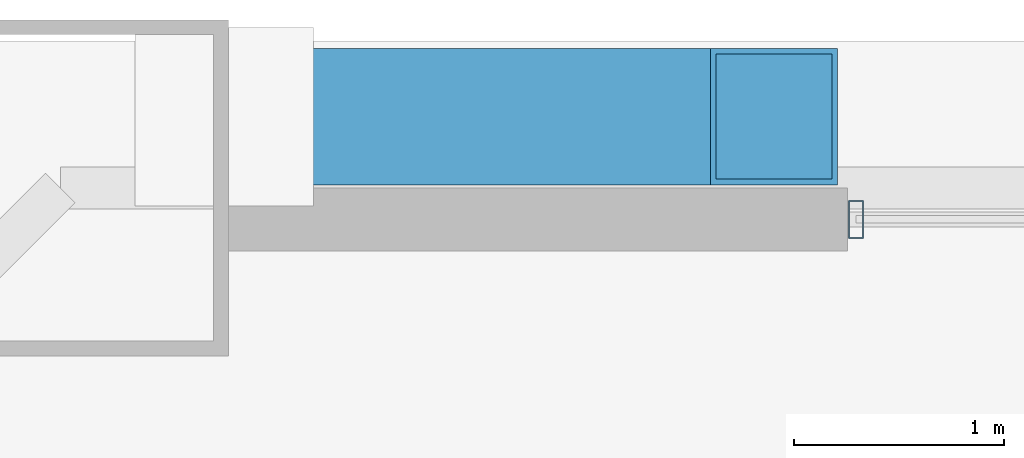
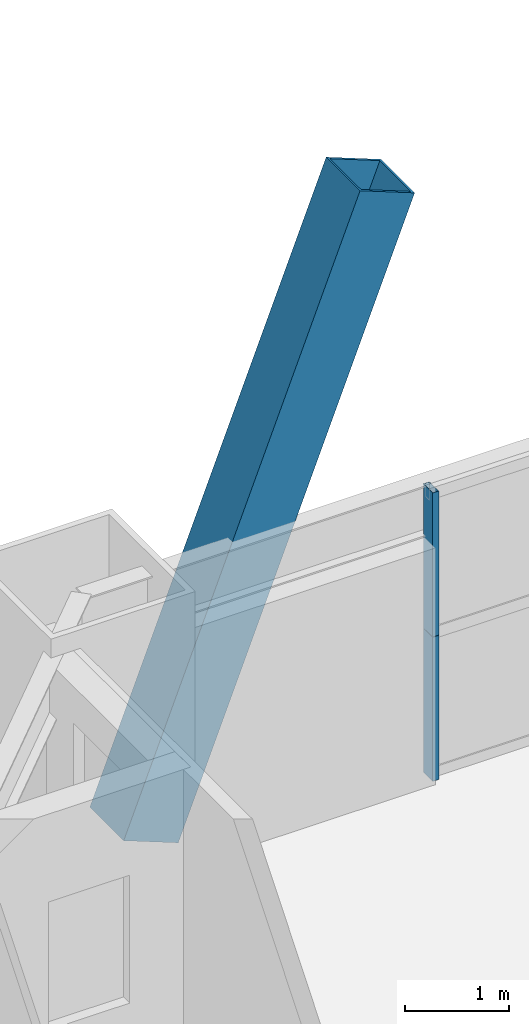
# One storey, part 28 of 43: 3 members, 1 element without a shape of its own.
"""IFC4 building model written with IfcOpenShell, lengths in metres."""

import ifcopenshell
import ifcopenshell.guid

model = None  # the IFC model being written
_history = None  # IfcOwnerHistory: only IFC2X3 demands one
_inside = {}  # id of a spatial element -> (the spatial element, [elements in it])
_under = {}  # id of a project, library or spatial element -> (it, [spatial elements below it])
_declared = {}  # id of a project -> (the project, [libraries it declares])
_typed = {}  # id of a type object -> (the type object, [elements of that type])
_made_of = {}  # id of a material, layer set ... -> (it, [elements and type objects made of it])


def new_model(schema):
    """Start an empty IFC model of exactly this schema.

    Asked for "IFC4X3", IfcOpenShell would pick the latest addendum, in which some entities
    have other attributes; the version numbers below select the first issue.
    IFC2X3 requires an IfcOwnerHistory on every rooted entity: one is made here for all.
    """
    global model, _history
    if schema == "IFC4X3":
        model = ifcopenshell.file(schema_version=(4, 3, 0, 0))
    else:
        model = ifcopenshell.file(schema=schema)
    _inside.clear()
    _under.clear()
    _declared.clear()
    _typed.clear()
    _made_of.clear()
    _history = None
    if model.schema == "IFC2X3":
        org = make("IfcOrganization", Name="unknown")
        user = make(
            "IfcPersonAndOrganization",
            ThePerson=make("IfcPerson", FamilyName="unknown"),
            TheOrganization=org,
        )
        app = make(
            "IfcApplication",
            ApplicationDeveloper=org,
            Version="unknown",
            ApplicationFullName="unknown",
            ApplicationIdentifier="unknown",
        )
        _history = make(
            "IfcOwnerHistory",
            OwningUser=user,
            OwningApplication=app,
            ChangeAction="ADDED",
            CreationDate=0,
        )
    return model


def make(cls, **values):
    """One entity of the class cls with the attributes given. An attribute that is None is left unset."""
    return model.create_entity(
        cls, **{name: value for name, value in values.items() if value is not None}
    )


def rooted(cls, **values):
    """An entity with a GlobalId (a new one), such as an element, a storey or a relation."""
    return make(cls, GlobalId=ifcopenshell.guid.new(), OwnerHistory=_history, **values)


def si_unit(unit_type, name, prefix=None):
    """IfcSIUnit, for example si_unit("LENGTHUNIT", "METRE", prefix="MILLI")."""
    return make("IfcSIUnit", UnitType=unit_type, Prefix=prefix, Name=name)


def assignment(units):
    """IfcUnitAssignment: the units of a project."""
    return None if units is None else make("IfcUnitAssignment", Units=units)


def point(xyz):
    """IfcCartesianPoint."""
    return None if xyz is None else make("IfcCartesianPoint", Coordinates=xyz)


def direction(xyz):
    """IfcDirection."""
    return None if xyz is None else make("IfcDirection", DirectionRatios=xyz)


def frame(location, z_axis=None, x_axis=None):
    """IfcAxis2Placement3D, a coordinate frame: its origin and axes. An axis left out is left unset."""
    return make(
        "IfcAxis2Placement3D",
        Location=point(location),
        Axis=direction(z_axis),
        RefDirection=direction(x_axis),
    )


def frame_2d(location, x_axis=None):
    """IfcAxis2Placement2D, a coordinate frame in the plane: its origin and x axis."""
    return make(
        "IfcAxis2Placement2D", Location=point(location), RefDirection=direction(x_axis)
    )


def origin():
    """The frame at (0, 0, 0) with its axes left unset."""
    return frame((0.0, 0.0, 0.0))


def origin_2d():
    """The frame at (0, 0) in the plane with its x axis left unset."""
    return frame_2d((0.0, 0.0))


def place(relative_to, where):
    """IfcLocalPlacement: puts the frame where relative to a parent placement (None: the world)."""
    return make(
        "IfcLocalPlacement", PlacementRelTo=relative_to, RelativePlacement=where
    )


def context(
    kind, dimensions, precision=None, world=None, true_north=None, identifier=None
):
    """IfcGeometricRepresentationContext, for example the 3D "Model" context."""
    return make(
        "IfcGeometricRepresentationContext",
        ContextIdentifier=identifier,
        ContextType=kind,
        CoordinateSpaceDimension=dimensions,
        Precision=precision,
        WorldCoordinateSystem=world,
        TrueNorth=true_north,
    )


def subcontext(parent, identifier, kind, view, scale=None):
    """IfcGeometricRepresentationSubContext, for example "Body" below "Model"."""
    return make(
        "IfcGeometricRepresentationSubContext",
        ContextIdentifier=identifier,
        ContextType=kind,
        ParentContext=parent,
        TargetScale=scale,
        TargetView=view,
    )


def project(units=None, contexts=None):
    """IfcProject with its units and contexts."""
    return rooted(
        "IfcProject",
        Name="project",
        RepresentationContexts=contexts,
        UnitsInContext=assignment(units),
    )


def spatial(cls, under=None, at=None, **own):
    """A site, building, storey or space (cls), placed at a placement, below another one or the project."""
    s = rooted(cls, ObjectPlacement=at, **own)
    if under is not None:
        _under.setdefault(under.id(), (under, []))[1].append(s)
    return s


def profile(cls, at=None, kind="AREA", **sizes):
    """A parametric profile (cls). Its sizes go by their IFC names, for example OverallWidth=200.0."""
    return make(cls, ProfileType=kind, Position=at, **sizes)


def hollow_rectangle(**sizes):
    """IfcRectangleHollowProfileDef."""
    return profile("IfcRectangleHollowProfileDef", **sizes)


def extrude(swept, where, along, depth):
    """IfcExtrudedAreaSolid: the profile swept, set in the frame where, extruded along a direction by depth."""
    return make(
        "IfcExtrudedAreaSolid",
        SweptArea=swept,
        Position=where,
        ExtrudedDirection=direction(along),
        Depth=depth,
    )


def shape(context_of_items, identifier, shape_type, items):
    """IfcShapeRepresentation: the items that make up one representation, for example the "Body"."""
    return make(
        "IfcShapeRepresentation",
        ContextOfItems=context_of_items,
        RepresentationIdentifier=identifier,
        RepresentationType=shape_type,
        Items=items,
    )


def source(mapping_origin, context_of_items, identifier, shape_type, items):
    """IfcRepresentationMap: a shape defined once, which mapped items show again and again."""
    return make(
        "IfcRepresentationMap",
        MappingOrigin=mapping_origin,
        MappedRepresentation=shape(context_of_items, identifier, shape_type, items),
    )


def transform(
    local_origin,
    x_axis=None,
    y_axis=None,
    z_axis=None,
    scale=None,
    scale2=None,
    scale3=None,
    uniform=True,
):
    """IfcCartesianTransformationOperator3D, or its non-uniform kind. x_axis, y_axis, z_axis: its Axis1, 2, 3."""
    if uniform:
        return make(
            "IfcCartesianTransformationOperator3D",
            Axis1=direction(x_axis),
            Axis2=direction(y_axis),
            LocalOrigin=point(local_origin),
            Scale=scale,
            Axis3=direction(z_axis),
        )
    return make(
        "IfcCartesianTransformationOperator3DnonUniform",
        Axis1=direction(x_axis),
        Axis2=direction(y_axis),
        LocalOrigin=point(local_origin),
        Scale=scale,
        Axis3=direction(z_axis),
        Scale2=scale2,
        Scale3=scale3,
    )


def mapped(mapping_source, mapping_target):
    """IfcMappedItem: shows the shape of a source again, moved by a transform."""
    return make(
        "IfcMappedItem", MappingSource=mapping_source, MappingTarget=mapping_target
    )


def material(Name=None, Category=None):
    """IfcMaterial."""
    return make("IfcMaterial", Name=Name, Category=Category)


def layer(
    of_material, thickness, ventilated=None, Name=None, Category=None, Priority=None
):
    """IfcMaterialLayer: one layer of a wall or slab, of a material (None: an air gap)."""
    return make(
        "IfcMaterialLayer",
        Material=of_material,
        LayerThickness=thickness,
        IsVentilated=ventilated,
        Name=Name,
        Category=Category,
        Priority=Priority,
    )


def layer_set(layers, Name=None):
    """IfcMaterialLayerSet."""
    return make("IfcMaterialLayerSet", MaterialLayers=layers, LayerSetName=Name)


def material_profile(
    of_material, cross_section, Name=None, Category=None, Priority=None
):
    """IfcMaterialProfile: a cross section and its material."""
    return make(
        "IfcMaterialProfile",
        Name=Name,
        Material=of_material,
        Profile=cross_section,
        Priority=Priority,
        Category=Category,
    )


def profile_set(profiles, Name=None, composite=None):
    """IfcMaterialProfileSet."""
    return make(
        "IfcMaterialProfileSet",
        Name=Name,
        MaterialProfiles=profiles,
        CompositeProfile=composite,
    )


def made_of(thing, what):
    """Note that an element or type object is made of a material, layer set ...; save() writes the relation."""
    if what is not None:
        _made_of.setdefault(what.id(), (what, []))[1].append(thing)
    return thing


def type_object(cls, material=None, **own):
    """A type object (cls), such as IfcWallType, which elements share."""
    return made_of(rooted(cls, **own), material)


def element(
    cls,
    number,
    at=None,
    inside=None,
    cuts=None,
    type_object=None,
    material=None,
    context=None,
    identifier="Body",
    shape_type=None,
    held_by="IfcProductDefinitionShape",
    body=None,
    shapes=None,
    **own,
):
    """One element of the class cls, such as IfcWall. Its Tag is "e" and its number.

    at: its placement. inside: the storey or other place that contains it. cuts: it is an
    opening in that element (IfcRelVoidsElement). A single representation is given by context,
    identifier, shape_type and body (its items); several are given by shapes. held_by: the class
    of the entity that holds the representations. save() writes the other relations.
    """
    e = rooted(cls, Tag="e%d" % number, ObjectPlacement=at, **own)
    if body is not None:
        shapes = [shape(context, identifier, shape_type, body)]
    if shapes is not None:
        e.Representation = make(held_by, Representations=shapes)
    if inside is not None:
        _inside.setdefault(inside.id(), (inside, []))[1].append(e)
    if cuts is not None:
        rooted(
            "IfcRelVoidsElement", RelatingBuildingElement=cuts, RelatedOpeningElement=e
        )
    if type_object is not None:
        _typed.setdefault(type_object.id(), (type_object, []))[1].append(e)
    return made_of(e, material)


def aggregate(whole, parts):
    """IfcRelAggregates: a whole, such as a stair, and the parts it consists of."""
    return rooted("IfcRelAggregates", RelatingObject=whole, RelatedObjects=parts)


def save(model, path):
    """Write the relations noted so far, then the file.

    IfcRelAggregates (storeys below a building ...), IfcRelContainedInSpatialStructure (elements
    in a storey), IfcRelDefinesByType, IfcRelAssociatesMaterial and IfcRelDeclares: one each for
    every whole, place, type object, material and project.
    """
    for whole, parts in _under.values():
        aggregate(whole, parts)
    for where, things in _inside.values():
        rooted(
            "IfcRelContainedInSpatialStructure",
            RelatedElements=things,
            RelatingStructure=where,
        )
    for kind, things in _typed.values():
        rooted("IfcRelDefinesByType", RelatedObjects=things, RelatingType=kind)
    for what, things in _made_of.values():
        rooted("IfcRelAssociatesMaterial", RelatedObjects=things, RelatingMaterial=what)
    for by, libraries in _declared.values():
        rooted("IfcRelDeclares", RelatingContext=by, RelatedDefinitions=libraries)
    model.write(path)


model = new_model("IFC4")

# Units and contexts
model_context = context("Model", 3, precision=1e-05, world=origin(), true_north=direction((0.0, 1.0)))
body_context = subcontext(model_context, "Body", "Model", "MODEL_VIEW")
ifc_project = project(units=[si_unit("LENGTHUNIT", "METRE"), si_unit("AREAUNIT", "SQUARE_METRE"), si_unit("VOLUMEUNIT", "CUBIC_METRE"), si_unit("PLANEANGLEUNIT", "RADIAN"), si_unit("MASSUNIT", "GRAM", prefix="KILO"), si_unit("THERMODYNAMICTEMPERATUREUNIT", "KELVIN"), si_unit("POWERUNIT", "WATT")], contexts=[model_context])

# Site, building, storey
site_placement = place(None, origin())
site = spatial("IfcSite", under=ifc_project, at=site_placement, CompositionType="ELEMENT")
building_placement = place(site_placement, origin())
building = spatial("IfcBuilding", under=site, at=building_placement, Name="Yuzanri Waterfront Tower", CompositionType="ELEMENT")
storey_placement = place(building_placement, frame((0.0, 0.0, 138.0)))
storey = spatial("IfcBuildingStorey", under=building, at=storey_placement, Name="L36", CompositionType="ELEMENT", Elevation=138.0)

# Member
ifc_material_1 = material(Name="Steel Q420GJC", Category="steel")
ifc_material_profile_1 = material_profile(ifc_material_1, hollow_rectangle(XDim=0.64990234375, YDim=0.64990234375, WallThickness=0.028076171875, at=origin_2d()), Name="RHS 650x650x28")
ifc_profile_set_1 = profile_set([ifc_material_profile_1], Name="Steel Q420GJC")
member_type_1 = type_object("IfcMemberType", Name="Mega Brace Lower Q420GJC RHS 650x650x28", PredefinedType="BRACE", material=ifc_profile_set_1)
shared_shape_1 = source(origin(), body_context, "Body", "SweptSolid", [
    extrude(hollow_rectangle(XDim=0.64990234375, YDim=0.64990234375, WallThickness=0.028076171875, at=origin_2d()), origin(), (0.0, 0.0, 1.0), 7.19384765625),
])
member_1_placement = place(storey_placement, frame((17.780029296875, 49.739990234375, 0.179931640625), z_axis=(0.36417668996, 0.0, 0.9313298763), x_axis=(0.0, 1.0, 0.0)))
element("IfcMember", 1, at=member_1_placement, inside=storey, type_object=member_type_1, Name="L36-L37 Perimeter Mega-Brace N-L", PredefinedType="BRACE", context=body_context, shape_type="MappedRepresentation", body=[
    mapped(shared_shape_1, transform((0.0, 0.0, 0.0), scale=1.0)),
])

# Curtain wall, members
ifc_material_2 = material(Name="Anodized Architectural Bronze", Category="metal")
ifc_layer = layer(ifc_material_2, 0.159912109375)
ifc_layer_set = layer_set([ifc_layer], Name="Anodized Architectural Bronze")
curtain_wall_type = type_object("IfcCurtainWallType", Name="Anodized Bronze Hotel Upper-Tier Solar-Control Unitized Curtain Wall 7800", PredefinedType="NOTDEFINED", material=ifc_layer_set)
curtain_wall_placement = place(storey_placement, origin())
curtain_wall = element("IfcCurtainWall", 2, at=curtain_wall_placement, inside=storey, type_object=curtain_wall_type, Name="L36 Curtain Wall CW-L36-NL", PredefinedType="NOTDEFINED")
ifc_material_3 = material(Name="Anodized Architectural Bronze", Category="metal")
ifc_material_profile_2 = material_profile(ifc_material_3, hollow_rectangle(XDim=0.070068359375, YDim=0.179931640625, WallThickness=0.00390625, at=origin_2d()), Name="CWM 70x180")
ifc_profile_set_2 = profile_set([ifc_material_profile_2], Name="Anodized Architectural Bronze")
member_type_2 = type_object("IfcMemberType", Name="Anodized Bronze Standard Curtain-Wall Mullion 70x180", PredefinedType="MULLION", material=ifc_profile_set_2)
shared_shape_2 = source(origin(), body_context, "Body", "SweptSolid", [
    extrude(hollow_rectangle(XDim=0.070068359375, YDim=0.179931640625, WallThickness=0.00390625, at=origin_2d()), origin(), (0.0, 0.0, 1.0), 1.68798828125),
])
member_2_placement = place(storey_placement, frame((20.7900390625, 49.25, 0.0), z_axis=(0.0, 0.0, 1.0), x_axis=(1.0, 0.0, 0.0)))
member_2 = element("IfcMember", 3, at=member_2_placement, type_object=member_type_2, Name="CW-L36-NL Lower Mullion 00", PredefinedType="MULLION", context=body_context, shape_type="MappedRepresentation", body=[
    mapped(shared_shape_2, transform((0.0, 0.0, 0.0), scale=1.0)),
])
member_3_placement = place(storey_placement, frame((20.7900390625, 49.25, 1.69189453125), z_axis=(0.0, 0.0, 1.0), x_axis=(1.0, 0.0, 0.0)))
member_3 = element("IfcMember", 4, at=member_3_placement, type_object=member_type_2, Name="CW-L36-NL Upper Mullion 00", PredefinedType="MULLION", context=body_context, shape_type="MappedRepresentation", body=[
    mapped(shared_shape_2, transform((0.0, 0.0, 0.0), scale=1.0)),
])
aggregate(curtain_wall, [member_2, member_3])

save(model, "model.ifc")
